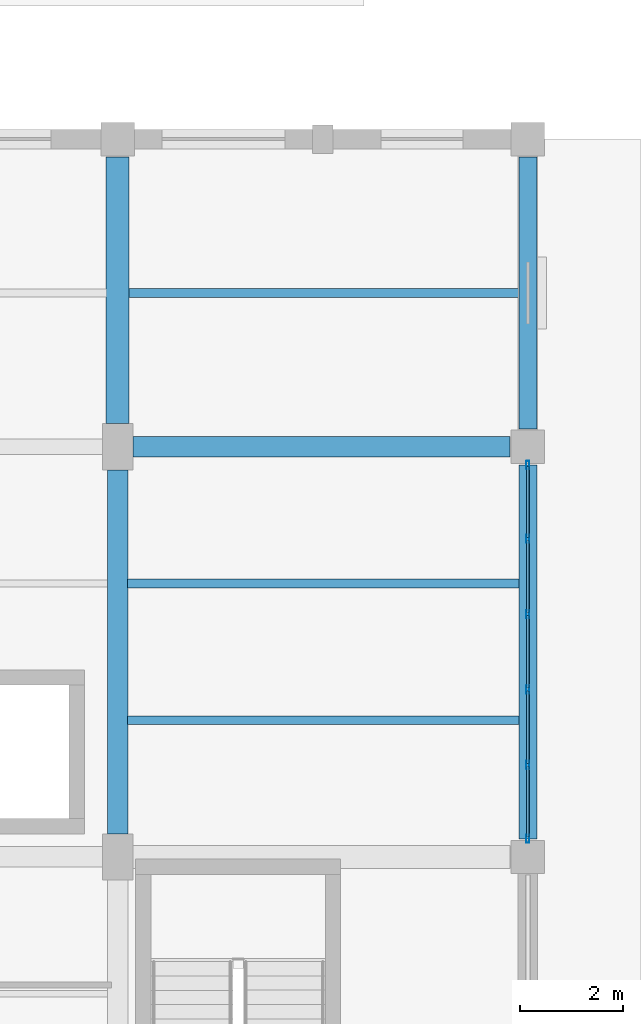
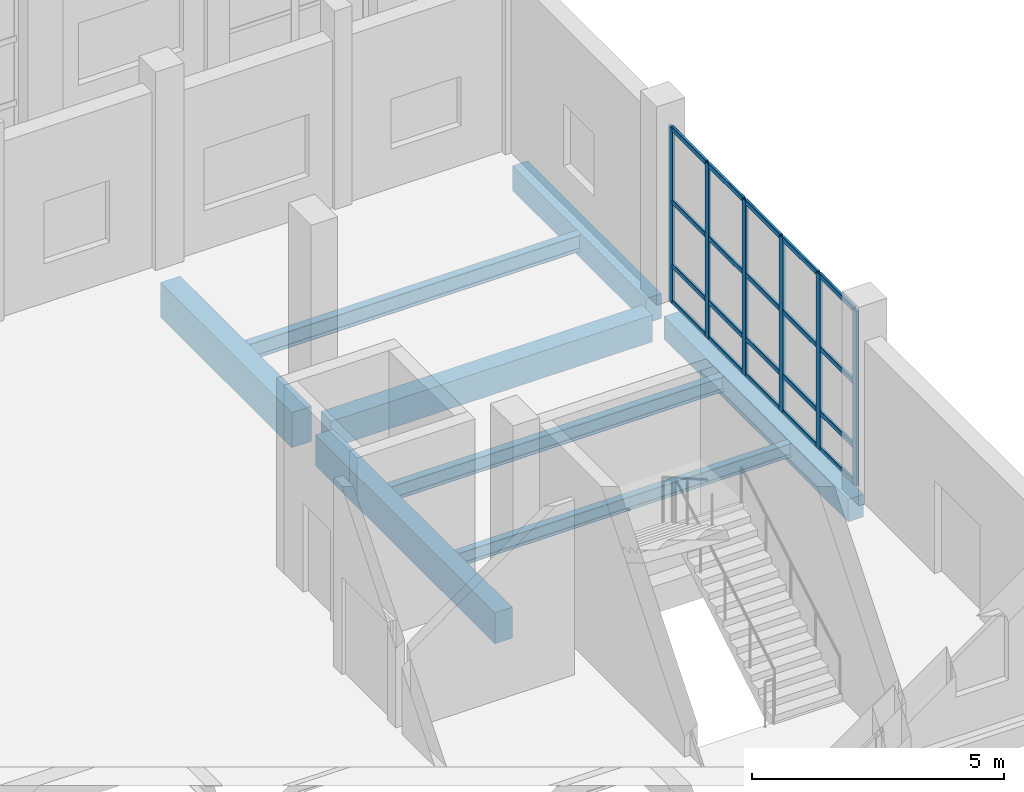
# One storey, part 95 of 156: 26 members, 8 beams, 1 element without a shape of its own.
"""IFC4 building model written with IfcOpenShell, lengths in metres."""

from ifc_helpers import new_model, si_unit, direction, frame, origin, origin_2d, place, context, subcontext, project, spatial, rectangle, hollow_rectangle, i_section, extrude, material, material_profile, profile_set, type_object, element, aggregate, save


model = new_model("IFC4")

# Units and contexts
model_context = context("Model", 3, precision=1e-05, world=origin(), true_north=direction((0.0, 1.0)))
body_context = subcontext(model_context, "Body", "Model", "MODEL_VIEW")
ifc_project = project(units=[si_unit("LENGTHUNIT", "METRE"), si_unit("AREAUNIT", "SQUARE_METRE"), si_unit("VOLUMEUNIT", "CUBIC_METRE"), si_unit("PLANEANGLEUNIT", "RADIAN"), si_unit("MASSUNIT", "GRAM", prefix="KILO")], contexts=[model_context])

# Site, building, storey
site_placement = place(None, origin())
site = spatial("IfcSite", under=ifc_project, at=site_placement, CompositionType="ELEMENT")
building_placement = place(site_placement, origin())
building = spatial("IfcBuilding", under=site, at=building_placement, Name="Luwemba Playhouse", CompositionType="ELEMENT")
storey_placement = place(building_placement, origin())
storey = spatial("IfcBuildingStorey", under=building, at=storey_placement, Name="L00", CompositionType="ELEMENT", Elevation=0.0)

# Beams
ifc_material_1 = material(Name="Concrete C40/50", Category="concrete")
ifc_material_profile_1 = material_profile(ifc_material_1, rectangle(XDim=0.39990234375, YDim=0.64990234375, at=origin_2d()))
ifc_profile_set_1 = profile_set([ifc_material_profile_1], Name="Concrete C40/50")
beam_type_1 = type_object("IfcBeamType", Name="BM-RB02", PredefinedType="BEAM", material=ifc_profile_set_1)
beam_1_placement = place(storey_placement, frame((164.300048828125, 84.0, -0.625), z_axis=(1.0, 0.0, 0.0), x_axis=(0.0, 1.0, 0.0)))
element("IfcBeam", 1, at=beam_1_placement, inside=storey, type_object=beam_type_1, Name="L00 grid girder 0126", PredefinedType="BEAM", context=body_context, shape_type="SweptSolid", body=[
    extrude(rectangle(XDim=0.39990234375, YDim=0.64990234375, at=origin_2d()), origin(), (0.0, 0.0, 1.0), 7.349853515625),
])
ifc_material_profile_2 = material_profile(ifc_material_1, rectangle(XDim=0.39990234375, YDim=0.75, at=origin_2d()))
ifc_profile_set_2 = profile_set([ifc_material_profile_2], Name="Concrete C40/50")
beam_type_2 = type_object("IfcBeamType", Name="BM-RB03", PredefinedType="BEAM", material=ifc_profile_set_2)
beam_2_placement = place(storey_placement, frame((164.0, 76.449951171875, -0.675048828125), z_axis=(0.0, 1.0, 0.0), x_axis=(-1.0, 0.0, 0.0)))
element("IfcBeam", 2, at=beam_2_placement, inside=storey, type_object=beam_type_2, Name="L00 transverse girder 0145", PredefinedType="BEAM", context=body_context, shape_type="SweptSolid", body=[
    extrude(rectangle(XDim=0.39990234375, YDim=0.75, at=origin_2d()), origin(), (0.0, 0.0, 1.0), 7.10009765625),
])
ifc_material_profile_3 = material_profile(ifc_material_1, rectangle(XDim=0.449951171875, YDim=0.85009765625, at=origin_2d()))
ifc_profile_set_3 = profile_set([ifc_material_profile_3], Name="Concrete C40/50")
beam_type_3 = type_object("IfcBeamType", Name="BM-RB05", PredefinedType="BEAM", material=ifc_profile_set_3)
beam_3_placement = place(storey_placement, frame((164.0, 84.449951171875, -0.72509765625), z_axis=(0.0, 1.0, 0.0), x_axis=(-1.0, 0.0, 0.0)))
element("IfcBeam", 3, at=beam_3_placement, inside=storey, type_object=beam_type_3, Name="L00 transverse girder 0146", PredefinedType="BEAM", context=body_context, shape_type="SweptSolid", body=[
    extrude(rectangle(XDim=0.449951171875, YDim=0.85009765625, at=origin_2d()), origin(), (0.0, 0.0, 1.0), 5.199951171875),
])
ifc_material_2 = material(Name="Steel S355", Category="steel")
ifc_material_profile_4 = material_profile(ifc_material_2, i_section(OverallWidth=0.159912109375, OverallDepth=0.330078125, WebThickness=0.007568359375, FlangeThickness=0.011474609375, FilletRadius=0.01806640625, at=origin_2d()))
ifc_profile_set_4 = profile_set([ifc_material_profile_4], Name="Steel S355")
beam_type_4 = type_object("IfcBeamType", Name="BM-SJ06", PredefinedType="JOIST", material=ifc_profile_set_4)
beam_4_placement = place(storey_placement, frame((164.196044921875, 78.666748046875, -0.465087890625), z_axis=(1.0, 0.0, 0.0), x_axis=(0.0, 1.0, 0.0)))
element("IfcBeam", 4, at=beam_4_placement, inside=storey, type_object=beam_type_4, Name="L00 composite floor joist 0116", PredefinedType="JOIST", context=body_context, shape_type="SweptSolid", body=[
    extrude(i_section(OverallWidth=0.159912109375, OverallDepth=0.330078125, WebThickness=0.007568359375, FlangeThickness=0.011474609375, FilletRadius=0.01806640625, at=origin_2d()), origin(), (0.0, 0.0, 1.0), 7.633056640625),
])
ifc_material_profile_5 = material_profile(ifc_material_2, i_section(OverallWidth=0.169921875, OverallDepth=0.360107421875, WebThickness=0.008056640625, FlangeThickness=0.0126953125, FilletRadius=0.01806640625, at=origin_2d()))
ifc_profile_set_5 = profile_set([ifc_material_profile_5], Name="Steel S355")
beam_type_5 = type_object("IfcBeamType", Name="BM-SJ07", PredefinedType="JOIST", material=ifc_profile_set_5)
beam_5_placement = place(storey_placement, frame((164.196044921875, 81.333251953125, -0.47998046875), z_axis=(1.0, 0.0, 0.0), x_axis=(0.0, 1.0, 0.0)))
element("IfcBeam", 5, at=beam_5_placement, inside=storey, type_object=beam_type_5, Name="L00 composite floor joist 0117", PredefinedType="JOIST", context=body_context, shape_type="SweptSolid", body=[
    extrude(i_section(OverallWidth=0.169921875, OverallDepth=0.360107421875, WebThickness=0.008056640625, FlangeThickness=0.0126953125, FilletRadius=0.01806640625, at=origin_2d()), origin(), (0.0, 0.0, 1.0), 7.633056640625),
])
ifc_material_profile_6 = material_profile(ifc_material_2, i_section(OverallWidth=0.179931640625, OverallDepth=0.39990234375, WebThickness=0.008544921875, FlangeThickness=0.013427734375, FilletRadius=0.02099609375, at=origin_2d()))
ifc_profile_set_6 = profile_set([ifc_material_profile_6], Name="Steel S355")
beam_type_6 = type_object("IfcBeamType", Name="BM-SJ08", PredefinedType="JOIST", material=ifc_profile_set_6)
beam_6_placement = place(storey_placement, frame((164.220947265625, 87.0, -0.5), z_axis=(1.0, 0.0, 0.0), x_axis=(0.0, 1.0, 0.0)))
element("IfcBeam", 6, at=beam_6_placement, inside=storey, type_object=beam_type_6, Name="L00 composite floor joist 0118", PredefinedType="JOIST", context=body_context, shape_type="SweptSolid", body=[
    extrude(i_section(OverallWidth=0.179931640625, OverallDepth=0.39990234375, WebThickness=0.008544921875, FlangeThickness=0.013427734375, FilletRadius=0.02099609375, at=origin_2d()), origin(), (0.0, 0.0, 1.0), 7.608154296875),
])
ifc_material_profile_7 = material_profile(ifc_material_1, rectangle(XDim=0.35009765625, YDim=0.550048828125, at=origin_2d()))
ifc_profile_set_7 = profile_set([ifc_material_profile_7], Name="Concrete C40/50")
beam_type_7 = type_object("IfcBeamType", Name="BM-SP2", PredefinedType="SPANDREL", material=ifc_profile_set_7)
beam_7_placement = place(storey_placement, frame((172.0, 76.35009765625, -0.574951171875), z_axis=(0.0, 1.0, 0.0), x_axis=(-1.0, 0.0, 0.0)))
element("IfcBeam", 7, at=beam_7_placement, inside=storey, type_object=beam_type_7, Name="L00 transverse girder 0148", PredefinedType="SPANDREL", context=body_context, shape_type="SweptSolid", body=[
    extrude(rectangle(XDim=0.35009765625, YDim=0.550048828125, at=origin_2d()), origin(), (0.0, 0.0, 1.0), 7.2998046875),
])
ifc_material_profile_8 = material_profile(ifc_material_1, rectangle(XDim=0.35009765625, YDim=0.60009765625, at=origin_2d()))
ifc_profile_set_8 = profile_set([ifc_material_profile_8], Name="Concrete C40/50")
beam_type_8 = type_object("IfcBeamType", Name="BM-SP3", PredefinedType="SPANDREL", material=ifc_profile_set_8)
beam_8_placement = place(storey_placement, frame((172.0, 84.35009765625, -0.60009765625), z_axis=(0.0, 1.0, 0.0), x_axis=(-1.0, 0.0, 0.0)))
element("IfcBeam", 8, at=beam_8_placement, inside=storey, type_object=beam_type_8, Name="L00 transverse girder 0149", PredefinedType="SPANDREL", context=body_context, shape_type="SweptSolid", body=[
    extrude(rectangle(XDim=0.35009765625, YDim=0.60009765625, at=origin_2d()), origin(), (0.0, 0.0, 1.0), 5.2998046875),
])

# Curtain wall, members
ifc_material_3 = material(Name="Solar-control double glazing", Category="glass")
curtain_wall_type = type_object("IfcCurtainWallType", Name="CW-CW19", PredefinedType="USERDEFINED", material=ifc_material_3)
curtain_wall_placement = place(storey_placement, origin())
curtain_wall = element("IfcCurtainWall", 9, at=curtain_wall_placement, inside=storey, type_object=curtain_wall_type, Name="L00 V4 unitised curtain wall 019", ObjectType="UNITISED GLAZING", PredefinedType="USERDEFINED")
ifc_material_4 = material(Name="Aluminium 6063-T6", Category="aluminium")
ifc_material_profile_9 = material_profile(ifc_material_4, hollow_rectangle(XDim=0.06005859375, YDim=0.159912109375, WallThickness=0.00390625, InnerFilletRadius=0.006103515625, OuterFilletRadius=0.010009765625, at=origin_2d()))
ifc_profile_set_9 = profile_set([ifc_material_profile_9], Name="Aluminium 6063-T6")
member_type_1 = type_object("IfcMemberType", Name="CWM-M1", PredefinedType="MULLION", material=ifc_profile_set_9)
member_1_placement = place(storey_placement, frame((172.0, 83.64501953125, 0.0), z_axis=(0.0, 0.0, 1.0), x_axis=(1.0, 0.0, 0.0)))
member_1 = element("IfcMember", 10, at=member_1_placement, type_object=member_type_1, Name="CW19 mullion 1", PredefinedType="MULLION", context=body_context, shape_type="SweptSolid", body=[
    extrude(hollow_rectangle(XDim=0.06005859375, YDim=0.159912109375, WallThickness=0.00390625, InnerFilletRadius=0.006103515625, OuterFilletRadius=0.010009765625, at=origin_2d()), origin(), (0.0, 0.0, 1.0), 4.235107421875),
])
member_2_placement = place(storey_placement, frame((172.0, 82.205078125, 0.0), z_axis=(0.0, 0.0, 1.0), x_axis=(1.0, 0.0, 0.0)))
member_2 = element("IfcMember", 11, at=member_2_placement, type_object=member_type_1, Name="CW19 mullion 2", PredefinedType="MULLION", context=body_context, shape_type="SweptSolid", body=[
    extrude(hollow_rectangle(XDim=0.06005859375, YDim=0.159912109375, WallThickness=0.00390625, InnerFilletRadius=0.006103515625, OuterFilletRadius=0.010009765625, at=origin_2d()), origin(), (0.0, 0.0, 1.0), 4.235107421875),
])
member_3_placement = place(storey_placement, frame((172.0, 80.735107421875, 0.0), z_axis=(0.0, 0.0, 1.0), x_axis=(1.0, 0.0, 0.0)))
member_3 = element("IfcMember", 12, at=member_3_placement, type_object=member_type_1, Name="CW19 mullion 3", PredefinedType="MULLION", context=body_context, shape_type="SweptSolid", body=[
    extrude(hollow_rectangle(XDim=0.06005859375, YDim=0.159912109375, WallThickness=0.00390625, InnerFilletRadius=0.006103515625, OuterFilletRadius=0.010009765625, at=origin_2d()), origin(), (0.0, 0.0, 1.0), 4.235107421875),
])
member_4_placement = place(storey_placement, frame((172.0, 79.264892578125, 0.0), z_axis=(0.0, 0.0, 1.0), x_axis=(1.0, 0.0, 0.0)))
member_4 = element("IfcMember", 13, at=member_4_placement, type_object=member_type_1, Name="CW19 mullion 4", PredefinedType="MULLION", context=body_context, shape_type="SweptSolid", body=[
    extrude(hollow_rectangle(XDim=0.06005859375, YDim=0.159912109375, WallThickness=0.00390625, InnerFilletRadius=0.006103515625, OuterFilletRadius=0.010009765625, at=origin_2d()), origin(), (0.0, 0.0, 1.0), 4.235107421875),
])
member_5_placement = place(storey_placement, frame((172.0, 77.794921875, 0.0), z_axis=(0.0, 0.0, 1.0), x_axis=(1.0, 0.0, 0.0)))
member_5 = element("IfcMember", 14, at=member_5_placement, type_object=member_type_1, Name="CW19 mullion 5", PredefinedType="MULLION", context=body_context, shape_type="SweptSolid", body=[
    extrude(hollow_rectangle(XDim=0.06005859375, YDim=0.159912109375, WallThickness=0.00390625, InnerFilletRadius=0.006103515625, OuterFilletRadius=0.010009765625, at=origin_2d()), origin(), (0.0, 0.0, 1.0), 4.235107421875),
])
member_6_placement = place(storey_placement, frame((172.0, 76.35498046875, 0.0), z_axis=(0.0, 0.0, 1.0), x_axis=(1.0, 0.0, 0.0)))
member_6 = element("IfcMember", 15, at=member_6_placement, type_object=member_type_1, Name="CW19 mullion 6", PredefinedType="MULLION", context=body_context, shape_type="SweptSolid", body=[
    extrude(hollow_rectangle(XDim=0.06005859375, YDim=0.159912109375, WallThickness=0.00390625, InnerFilletRadius=0.006103515625, OuterFilletRadius=0.010009765625, at=origin_2d()), origin(), (0.0, 0.0, 1.0), 4.235107421875),
])
ifc_material_profile_10 = material_profile(ifc_material_4, hollow_rectangle(XDim=0.06005859375, YDim=0.1201171875, WallThickness=0.00390625, InnerFilletRadius=0.006103515625, OuterFilletRadius=0.010009765625, at=origin_2d()))
ifc_profile_set_10 = profile_set([ifc_material_profile_10], Name="Aluminium 6063-T6")
member_type_2 = type_object("IfcMemberType", Name="CWT-T1", PredefinedType="USERDEFINED", material=ifc_profile_set_10)
member_7_placement = place(storey_placement, frame((172.0, 83.614990234375, 0.030029296875), z_axis=(0.0, -1.0, 0.0), x_axis=(1.0, 0.0, 0.0)))
member_7 = element("IfcMember", 16, at=member_7_placement, type_object=member_type_2, Name="CW19 transom 1.1", ObjectType="TRANSOM", PredefinedType="USERDEFINED", context=body_context, shape_type="SweptSolid", body=[
    extrude(hollow_rectangle(XDim=0.06005859375, YDim=0.1201171875, WallThickness=0.00390625, InnerFilletRadius=0.006103515625, OuterFilletRadius=0.010009765625, at=origin_2d()), origin(), (0.0, 0.0, 1.0), 1.3798828125),
])
member_8_placement = place(storey_placement, frame((172.0, 83.614990234375, 0.89990234375), z_axis=(0.0, -1.0, 0.0), x_axis=(1.0, 0.0, 0.0)))
member_8 = element("IfcMember", 17, at=member_8_placement, type_object=member_type_2, Name="CW19 transom 1.2", ObjectType="TRANSOM", PredefinedType="USERDEFINED", context=body_context, shape_type="SweptSolid", body=[
    extrude(hollow_rectangle(XDim=0.06005859375, YDim=0.1201171875, WallThickness=0.00390625, InnerFilletRadius=0.006103515625, OuterFilletRadius=0.010009765625, at=origin_2d()), origin(), (0.0, 0.0, 1.0), 1.3798828125),
])
member_9_placement = place(storey_placement, frame((172.0, 83.614990234375, 2.449951171875), z_axis=(0.0, -1.0, 0.0), x_axis=(1.0, 0.0, 0.0)))
member_9 = element("IfcMember", 18, at=member_9_placement, type_object=member_type_2, Name="CW19 transom 1.3", ObjectType="TRANSOM", PredefinedType="USERDEFINED", context=body_context, shape_type="SweptSolid", body=[
    extrude(hollow_rectangle(XDim=0.06005859375, YDim=0.1201171875, WallThickness=0.00390625, InnerFilletRadius=0.006103515625, OuterFilletRadius=0.010009765625, at=origin_2d()), origin(), (0.0, 0.0, 1.0), 1.3798828125),
])
member_10_placement = place(storey_placement, frame((172.0, 83.614990234375, 4.205078125), z_axis=(0.0, -1.0, 0.0), x_axis=(1.0, 0.0, 0.0)))
member_10 = element("IfcMember", 19, at=member_10_placement, type_object=member_type_2, Name="CW19 transom 1.4", ObjectType="TRANSOM", PredefinedType="USERDEFINED", context=body_context, shape_type="SweptSolid", body=[
    extrude(hollow_rectangle(XDim=0.06005859375, YDim=0.1201171875, WallThickness=0.00390625, InnerFilletRadius=0.006103515625, OuterFilletRadius=0.010009765625, at=origin_2d()), origin(), (0.0, 0.0, 1.0), 1.3798828125),
])
member_11_placement = place(storey_placement, frame((172.0, 82.175048828125, 0.030029296875), z_axis=(0.0, -1.0, 0.0), x_axis=(1.0, 0.0, 0.0)))
member_11 = element("IfcMember", 20, at=member_11_placement, type_object=member_type_2, Name="CW19 transom 2.1", ObjectType="TRANSOM", PredefinedType="USERDEFINED", context=body_context, shape_type="SweptSolid", body=[
    extrude(hollow_rectangle(XDim=0.06005859375, YDim=0.1201171875, WallThickness=0.00390625, InnerFilletRadius=0.006103515625, OuterFilletRadius=0.010009765625, at=origin_2d()), origin(), (0.0, 0.0, 1.0), 1.41015625),
])
member_12_placement = place(storey_placement, frame((172.0, 82.175048828125, 0.89990234375), z_axis=(0.0, -1.0, 0.0), x_axis=(1.0, 0.0, 0.0)))
member_12 = element("IfcMember", 21, at=member_12_placement, type_object=member_type_2, Name="CW19 transom 2.2", ObjectType="TRANSOM", PredefinedType="USERDEFINED", context=body_context, shape_type="SweptSolid", body=[
    extrude(hollow_rectangle(XDim=0.06005859375, YDim=0.1201171875, WallThickness=0.00390625, InnerFilletRadius=0.006103515625, OuterFilletRadius=0.010009765625, at=origin_2d()), origin(), (0.0, 0.0, 1.0), 1.41015625),
])
member_13_placement = place(storey_placement, frame((172.0, 82.175048828125, 2.449951171875), z_axis=(0.0, -1.0, 0.0), x_axis=(1.0, 0.0, 0.0)))
member_13 = element("IfcMember", 22, at=member_13_placement, type_object=member_type_2, Name="CW19 transom 2.3", ObjectType="TRANSOM", PredefinedType="USERDEFINED", context=body_context, shape_type="SweptSolid", body=[
    extrude(hollow_rectangle(XDim=0.06005859375, YDim=0.1201171875, WallThickness=0.00390625, InnerFilletRadius=0.006103515625, OuterFilletRadius=0.010009765625, at=origin_2d()), origin(), (0.0, 0.0, 1.0), 1.41015625),
])
member_14_placement = place(storey_placement, frame((172.0, 82.175048828125, 4.205078125), z_axis=(0.0, -1.0, 0.0), x_axis=(1.0, 0.0, 0.0)))
member_14 = element("IfcMember", 23, at=member_14_placement, type_object=member_type_2, Name="CW19 transom 2.4", ObjectType="TRANSOM", PredefinedType="USERDEFINED", context=body_context, shape_type="SweptSolid", body=[
    extrude(hollow_rectangle(XDim=0.06005859375, YDim=0.1201171875, WallThickness=0.00390625, InnerFilletRadius=0.006103515625, OuterFilletRadius=0.010009765625, at=origin_2d()), origin(), (0.0, 0.0, 1.0), 1.41015625),
])
member_15_placement = place(storey_placement, frame((172.0, 80.705078125, 0.030029296875), z_axis=(0.0, -1.0, 0.0), x_axis=(1.0, 0.0, 0.0)))
member_15 = element("IfcMember", 24, at=member_15_placement, type_object=member_type_2, Name="CW19 transom 3.1", ObjectType="TRANSOM", PredefinedType="USERDEFINED", context=body_context, shape_type="SweptSolid", body=[
    extrude(hollow_rectangle(XDim=0.06005859375, YDim=0.1201171875, WallThickness=0.00390625, InnerFilletRadius=0.006103515625, OuterFilletRadius=0.010009765625, at=origin_2d()), origin(), (0.0, 0.0, 1.0), 1.41015625),
])
member_16_placement = place(storey_placement, frame((172.0, 80.705078125, 0.89990234375), z_axis=(0.0, -1.0, 0.0), x_axis=(1.0, 0.0, 0.0)))
member_16 = element("IfcMember", 25, at=member_16_placement, type_object=member_type_2, Name="CW19 transom 3.2", ObjectType="TRANSOM", PredefinedType="USERDEFINED", context=body_context, shape_type="SweptSolid", body=[
    extrude(hollow_rectangle(XDim=0.06005859375, YDim=0.1201171875, WallThickness=0.00390625, InnerFilletRadius=0.006103515625, OuterFilletRadius=0.010009765625, at=origin_2d()), origin(), (0.0, 0.0, 1.0), 1.41015625),
])
member_17_placement = place(storey_placement, frame((172.0, 80.705078125, 2.449951171875), z_axis=(0.0, -1.0, 0.0), x_axis=(1.0, 0.0, 0.0)))
member_17 = element("IfcMember", 26, at=member_17_placement, type_object=member_type_2, Name="CW19 transom 3.3", ObjectType="TRANSOM", PredefinedType="USERDEFINED", context=body_context, shape_type="SweptSolid", body=[
    extrude(hollow_rectangle(XDim=0.06005859375, YDim=0.1201171875, WallThickness=0.00390625, InnerFilletRadius=0.006103515625, OuterFilletRadius=0.010009765625, at=origin_2d()), origin(), (0.0, 0.0, 1.0), 1.41015625),
])
member_18_placement = place(storey_placement, frame((172.0, 80.705078125, 4.205078125), z_axis=(0.0, -1.0, 0.0), x_axis=(1.0, 0.0, 0.0)))
member_18 = element("IfcMember", 27, at=member_18_placement, type_object=member_type_2, Name="CW19 transom 3.4", ObjectType="TRANSOM", PredefinedType="USERDEFINED", context=body_context, shape_type="SweptSolid", body=[
    extrude(hollow_rectangle(XDim=0.06005859375, YDim=0.1201171875, WallThickness=0.00390625, InnerFilletRadius=0.006103515625, OuterFilletRadius=0.010009765625, at=origin_2d()), origin(), (0.0, 0.0, 1.0), 1.41015625),
])
member_19_placement = place(storey_placement, frame((172.0, 79.235107421875, 0.030029296875), z_axis=(0.0, -1.0, 0.0), x_axis=(1.0, 0.0, 0.0)))
member_19 = element("IfcMember", 28, at=member_19_placement, type_object=member_type_2, Name="CW19 transom 4.1", ObjectType="TRANSOM", PredefinedType="USERDEFINED", context=body_context, shape_type="SweptSolid", body=[
    extrude(hollow_rectangle(XDim=0.06005859375, YDim=0.1201171875, WallThickness=0.00390625, InnerFilletRadius=0.006103515625, OuterFilletRadius=0.010009765625, at=origin_2d()), origin(), (0.0, 0.0, 1.0), 1.41015625),
])
member_20_placement = place(storey_placement, frame((172.0, 79.235107421875, 0.89990234375), z_axis=(0.0, -1.0, 0.0), x_axis=(1.0, 0.0, 0.0)))
member_20 = element("IfcMember", 29, at=member_20_placement, type_object=member_type_2, Name="CW19 transom 4.2", ObjectType="TRANSOM", PredefinedType="USERDEFINED", context=body_context, shape_type="SweptSolid", body=[
    extrude(hollow_rectangle(XDim=0.06005859375, YDim=0.1201171875, WallThickness=0.00390625, InnerFilletRadius=0.006103515625, OuterFilletRadius=0.010009765625, at=origin_2d()), origin(), (0.0, 0.0, 1.0), 1.41015625),
])
member_21_placement = place(storey_placement, frame((172.0, 79.235107421875, 2.449951171875), z_axis=(0.0, -1.0, 0.0), x_axis=(1.0, 0.0, 0.0)))
member_21 = element("IfcMember", 30, at=member_21_placement, type_object=member_type_2, Name="CW19 transom 4.3", ObjectType="TRANSOM", PredefinedType="USERDEFINED", context=body_context, shape_type="SweptSolid", body=[
    extrude(hollow_rectangle(XDim=0.06005859375, YDim=0.1201171875, WallThickness=0.00390625, InnerFilletRadius=0.006103515625, OuterFilletRadius=0.010009765625, at=origin_2d()), origin(), (0.0, 0.0, 1.0), 1.41015625),
])
member_22_placement = place(storey_placement, frame((172.0, 79.235107421875, 4.205078125), z_axis=(0.0, -1.0, 0.0), x_axis=(1.0, 0.0, 0.0)))
member_22 = element("IfcMember", 31, at=member_22_placement, type_object=member_type_2, Name="CW19 transom 4.4", ObjectType="TRANSOM", PredefinedType="USERDEFINED", context=body_context, shape_type="SweptSolid", body=[
    extrude(hollow_rectangle(XDim=0.06005859375, YDim=0.1201171875, WallThickness=0.00390625, InnerFilletRadius=0.006103515625, OuterFilletRadius=0.010009765625, at=origin_2d()), origin(), (0.0, 0.0, 1.0), 1.41015625),
])
member_23_placement = place(storey_placement, frame((172.0, 77.764892578125, 0.030029296875), z_axis=(0.0, -1.0, 0.0), x_axis=(1.0, 0.0, 0.0)))
member_23 = element("IfcMember", 32, at=member_23_placement, type_object=member_type_2, Name="CW19 transom 5.1", ObjectType="TRANSOM", PredefinedType="USERDEFINED", context=body_context, shape_type="SweptSolid", body=[
    extrude(hollow_rectangle(XDim=0.06005859375, YDim=0.1201171875, WallThickness=0.00390625, InnerFilletRadius=0.006103515625, OuterFilletRadius=0.010009765625, at=origin_2d()), origin(), (0.0, 0.0, 1.0), 1.3798828125),
])
member_24_placement = place(storey_placement, frame((172.0, 77.764892578125, 0.89990234375), z_axis=(0.0, -1.0, 0.0), x_axis=(1.0, 0.0, 0.0)))
member_24 = element("IfcMember", 33, at=member_24_placement, type_object=member_type_2, Name="CW19 transom 5.2", ObjectType="TRANSOM", PredefinedType="USERDEFINED", context=body_context, shape_type="SweptSolid", body=[
    extrude(hollow_rectangle(XDim=0.06005859375, YDim=0.1201171875, WallThickness=0.00390625, InnerFilletRadius=0.006103515625, OuterFilletRadius=0.010009765625, at=origin_2d()), origin(), (0.0, 0.0, 1.0), 1.3798828125),
])
member_25_placement = place(storey_placement, frame((172.0, 77.764892578125, 2.449951171875), z_axis=(0.0, -1.0, 0.0), x_axis=(1.0, 0.0, 0.0)))
member_25 = element("IfcMember", 34, at=member_25_placement, type_object=member_type_2, Name="CW19 transom 5.3", ObjectType="TRANSOM", PredefinedType="USERDEFINED", context=body_context, shape_type="SweptSolid", body=[
    extrude(hollow_rectangle(XDim=0.06005859375, YDim=0.1201171875, WallThickness=0.00390625, InnerFilletRadius=0.006103515625, OuterFilletRadius=0.010009765625, at=origin_2d()), origin(), (0.0, 0.0, 1.0), 1.3798828125),
])
member_26_placement = place(storey_placement, frame((172.0, 77.764892578125, 4.205078125), z_axis=(0.0, -1.0, 0.0), x_axis=(1.0, 0.0, 0.0)))
member_26 = element("IfcMember", 35, at=member_26_placement, type_object=member_type_2, Name="CW19 transom 5.4", ObjectType="TRANSOM", PredefinedType="USERDEFINED", context=body_context, shape_type="SweptSolid", body=[
    extrude(hollow_rectangle(XDim=0.06005859375, YDim=0.1201171875, WallThickness=0.00390625, InnerFilletRadius=0.006103515625, OuterFilletRadius=0.010009765625, at=origin_2d()), origin(), (0.0, 0.0, 1.0), 1.3798828125),
])
aggregate(curtain_wall, [member_1, member_2, member_3, member_4, member_5, member_6, member_7, member_8, member_9, member_10, member_11, member_12, member_13, member_14, member_15, member_16, member_17, member_18, member_19, member_20, member_21, member_22, member_23, member_24, member_25, member_26])

save(model, "model.ifc")
